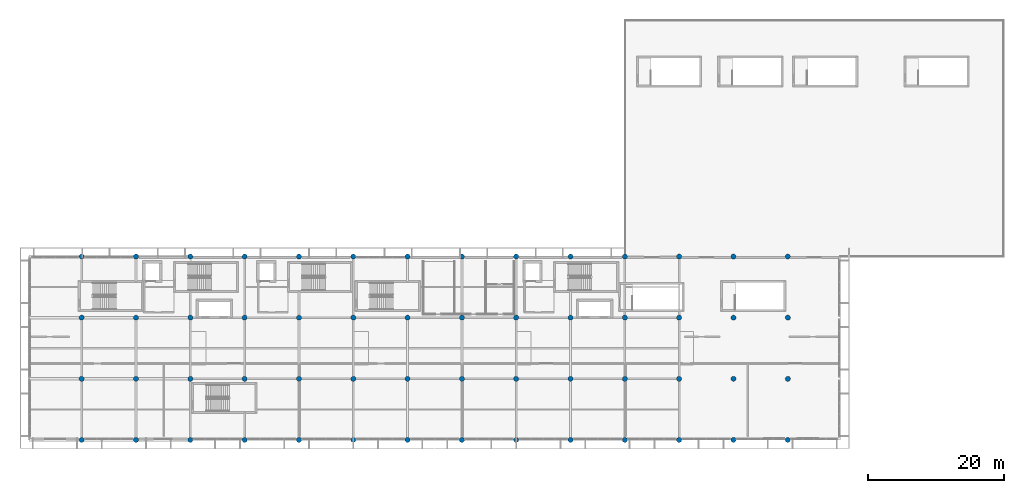
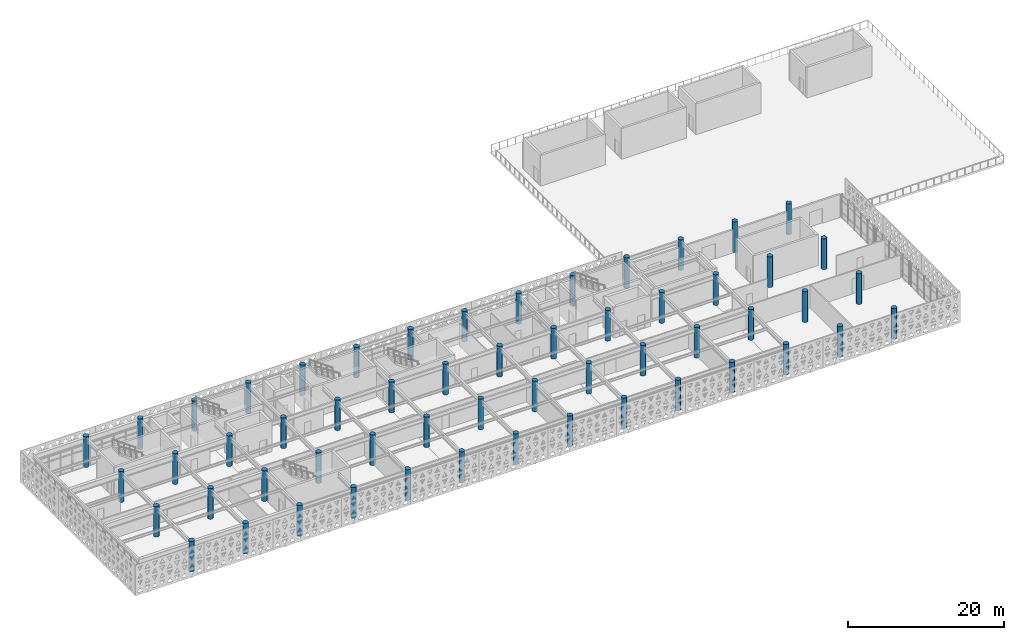
# One storey, part 1 of 33: 56 columns.
"""IFC4 building model written with IfcOpenShell, lengths in metres."""

from ifc_helpers import new_model, si_unit, direction, frame, origin, origin_2d, place, context, subcontext, project, spatial, circle, extrude, material, material_profile, profile_set, type_object, element, save


model = new_model("IFC4")

# Units and contexts
model_context = context("Model", 3, precision=1e-05, world=origin(), true_north=direction((0.0, 1.0)))
body_context = subcontext(model_context, "Body", "Model", "MODEL_VIEW")
ifc_project = project(units=[si_unit("LENGTHUNIT", "METRE"), si_unit("AREAUNIT", "SQUARE_METRE"), si_unit("VOLUMEUNIT", "CUBIC_METRE"), si_unit("PLANEANGLEUNIT", "RADIAN"), si_unit("MASSUNIT", "GRAM", prefix="KILO")], contexts=[model_context])

# Site, building, storey
site_placement = place(None, origin())
site = spatial("IfcSite", under=ifc_project, at=site_placement, CompositionType="ELEMENT")
building_placement = place(site_placement, origin())
building = spatial("IfcBuilding", under=site, at=building_placement, Name="Tlacozan Convention Centre", CompositionType="ELEMENT")
storey_placement = place(building_placement, frame((0.0, 0.0, 16.199951171875)))
storey = spatial("IfcBuildingStorey", under=building, at=storey_placement, Name="L03", CompositionType="ELEMENT", Elevation=16.199951171875)

# Columns
ifc_material = material(Name="Concrete C40/50", Category="concrete")
ifc_material_profile = material_profile(ifc_material, circle(Radius=0.375, at=origin_2d()), Name="RCC D750")
ifc_profile_set = profile_set([ifc_material_profile], Name="Concrete C40/50")
column_type = type_object("IfcColumnType", Name="Column Round RCC D750", PredefinedType="COLUMN", material=ifc_profile_set)
for number, where, z_axis, x_axis, name in (
    (1, (8.0, 0.0, 0.0), (0.0, 0.0, 1.0), (1.0, 0.0, 0.0), "L03 Column 41"),
    (2, (8.0, 9.0, 0.0), (0.0, 0.0, 1.0), (1.0, 0.0, 0.0), "L03 Column 47"),
    (3, (8.0, 18.0, 0.0), (0.0, 0.0, 1.0), (1.0, 0.0, 0.0), "L03 Column 53"),
    (4, (8.0, 27.0, 0.0), (0.0, 0.0, 1.0), (1.0, 0.0, 0.0), "L03 Column 59"),
    (5, (16.0, 0.0, 0.0), (0.0, 0.0, 1.0), (1.0, 0.0, 0.0), "L03 Column 90"),
    (6, (16.0, 9.0, 0.0), (0.0, 0.0, 1.0), (1.0, 0.0, 0.0), "L03 Column 96"),
    (7, (16.0, 18.0, 0.0), (0.0, 0.0, 1.0), (1.0, 0.0, 0.0), "L03 Column 102"),
    (8, (16.0, 27.0, 0.0), (0.0, 0.0, 1.0), (1.0, 0.0, 0.0), "L03 Column 108"),
    (9, (24.0, 0.0, 0.0), (0.0, 0.0, 1.0), (1.0, 0.0, 0.0), "L03 Column 139"),
    (10, (24.0, 9.0, 0.0), (0.0, 0.0, 1.0), (1.0, 0.0, 0.0), "L03 Column 145"),
    (11, (24.0, 18.0, 0.0), (0.0, 0.0, 1.0), (1.0, 0.0, 0.0), "L03 Column 151"),
    (12, (24.0, 27.0, 0.0), (0.0, 0.0, 1.0), (1.0, 0.0, 0.0), "L03 Column 157"),
    (13, (32.0, 0.0, 0.0), (0.0, 0.0, 1.0), (1.0, 0.0, 0.0), "L03 Column 200"),
    (14, (32.0, 9.0, 0.0), (0.0, 0.0, 1.0), (1.0, 0.0, 0.0), "L03 Column 206"),
    (15, (32.0, 18.0, 0.0), (0.0, 0.0, 1.0), (1.0, 0.0, 0.0), "L03 Column 212"),
    (16, (32.0, 27.0, 0.0), (0.0, 0.0, 1.0), (1.0, 0.0, 0.0), "L03 Column 218"),
    (17, (40.0, 0.0, 0.0), (0.0, 0.0, 1.0), (1.0, 0.0, 0.0), "L03 Column 237"),
    (18, (40.0, 9.0, 0.0), (0.0, 0.0, 1.0), (1.0, 0.0, 0.0), "L03 Column 243"),
    (19, (40.0, 18.0, 0.0), (0.0, 0.0, 1.0), (1.0, 0.0, 0.0), "L03 Column 249"),
    (20, (40.0, 27.0, 0.0), (0.0, 0.0, 1.0), (1.0, 0.0, 0.0), "L03 Column 255"),
    (21, (48.0, 0.0, 0.0), (0.0, 0.0, 1.0), (1.0, 0.0, 0.0), "L03 Column 274"),
    (22, (48.0, 9.0, 0.0), (0.0, 0.0, 1.0), (1.0, 0.0, 0.0), "L03 Column 280"),
    (23, (48.0, 18.0, 0.0), (0.0, 0.0, 1.0), (1.0, 0.0, 0.0), "L03 Column 286"),
    (24, (48.0, 27.0, 0.0), (0.0, 0.0, 1.0), (1.0, 0.0, 0.0), "L03 Column 292"),
    (25, (56.0, 0.0, 0.0), (0.0, 0.0, 1.0), (1.0, 0.0, 0.0), "L03 Column 311"),
    (26, (56.0, 9.0, 0.0), (0.0, 0.0, 1.0), (1.0, 0.0, 0.0), "L03 Column 317"),
    (27, (56.0, 18.0, 0.0), (0.0, 0.0, 1.0), (1.0, 0.0, 0.0), "L03 Column 323"),
    (28, (56.0, 27.0, 0.0), (0.0, 0.0, 1.0), (1.0, 0.0, 0.0), "L03 Column 329"),
    (29, (64.0, 0.0, 0.0), (0.0, 0.0, 1.0), (1.0, 0.0, 0.0), "L03 Column 348"),
    (30, (64.0, 9.0, 0.0), (0.0, 0.0, 1.0), (1.0, 0.0, 0.0), "L03 Column 354"),
    (31, (64.0, 18.0, 0.0), (0.0, 0.0, 1.0), (1.0, 0.0, 0.0), "L03 Column 360"),
    (32, (64.0, 27.0, 0.0), (0.0, 0.0, 1.0), (1.0, 0.0, 0.0), "L03 Column 366"),
    (33, (72.0, 0.0, 0.0), (0.0, 0.0, 1.0), (1.0, 0.0, 0.0), "L03 Column 385"),
    (34, (72.0, 9.0, 0.0), (0.0, 0.0, 1.0), (1.0, 0.0, 0.0), "L03 Column 391"),
    (35, (72.0, 18.0, 0.0), (0.0, 0.0, 1.0), (1.0, 0.0, 0.0), "L03 Column 397"),
    (36, (72.0, 27.0, 0.0), (0.0, 0.0, 1.0), (1.0, 0.0, 0.0), "L03 Column 403"),
    (37, (80.0, 0.0, 0.0), (0.0, 0.0, 1.0), (1.0, 0.0, 0.0), "L03 Column 422"),
    (38, (80.0, 9.0, 0.0), (0.0, 0.0, 1.0), (1.0, 0.0, 0.0), "L03 Column 428"),
    (39, (80.0, 18.0, 0.0), (0.0, 0.0, 1.0), (1.0, 0.0, 0.0), "L03 Column 434"),
    (40, (80.0, 27.0, 0.0), (0.0, 0.0, 1.0), (1.0, 0.0, 0.0), "L03 Column 440"),
    (41, (88.0, 0.0, 0.0), (0.0, 0.0, 1.0), (1.0, 0.0, 0.0), "L03 Column 459"),
    (42, (88.0, 9.0, 0.0), (0.0, 0.0, 1.0), (1.0, 0.0, 0.0), "L03 Column 465"),
    (43, (88.0, 18.0, 0.0), (0.0, 0.0, 1.0), (1.0, 0.0, 0.0), "L03 Column 471"),
    (44, (88.0, 27.0, 0.0), (0.0, 0.0, 1.0), (1.0, 0.0, 0.0), "L03 Column 477"),
    (45, (96.0, 0.0, 0.0), (0.0, 0.0, 1.0), (1.0, 0.0, 0.0), "L03 Column 508"),
    (46, (96.0, 9.0, 0.0), (0.0, 0.0, 1.0), (1.0, 0.0, 0.0), "L03 Column 514"),
    (47, (96.0, 18.0, 0.0), (0.0, 0.0, 1.0), (1.0, 0.0, 0.0), "L03 Column 520"),
    (48, (96.0, 27.0, 0.0), (0.0, 0.0, 1.0), (1.0, 0.0, 0.0), "L03 Column 526"),
    (49, (104.0, 0.0, 0.0), (0.0, 0.0, 1.0), (1.0, 0.0, 0.0), "L03 Column 555"),
    (50, (104.0, 9.0, 0.0), (0.0, 0.0, 1.0), (1.0, 0.0, 0.0), "L03 Column 560"),
    (51, (104.0, 18.0, 0.0), (0.0, 0.0, 1.0), (1.0, 0.0, 0.0), "L03 Column 565"),
    (52, (104.0, 27.0, 0.0), (0.0, 0.0, 1.0), (1.0, 0.0, 0.0), "L03 Column 570"),
    (53, (112.0, 0.0, 0.0), (0.0, 0.0, 1.0), (1.0, 0.0, 0.0), "L03 Column 598"),
    (54, (112.0, 9.0, 0.0), (0.0, 0.0, 1.0), (1.0, 0.0, 0.0), "L03 Column 603"),
    (55, (112.0, 18.0, 0.0), (0.0, 0.0, 1.0), (1.0, 0.0, 0.0), "L03 Column 608"),
    (56, (112.0, 27.0, 0.0), (0.0, 0.0, 1.0), (1.0, 0.0, 0.0), "L03 Column 613"),
):
    element("IfcColumn", number, at=place(storey_placement, frame(where, z_axis=z_axis, x_axis=x_axis)), inside=storey, type_object=column_type, Name=name, PredefinedType="COLUMN", context=body_context, shape_type="SweptSolid", body=[
        extrude(circle(Radius=0.375, at=origin_2d()), origin(), (0.0, 0.0, 1.0), 4.800048828125),
    ])

save(model, "model.ifc")
